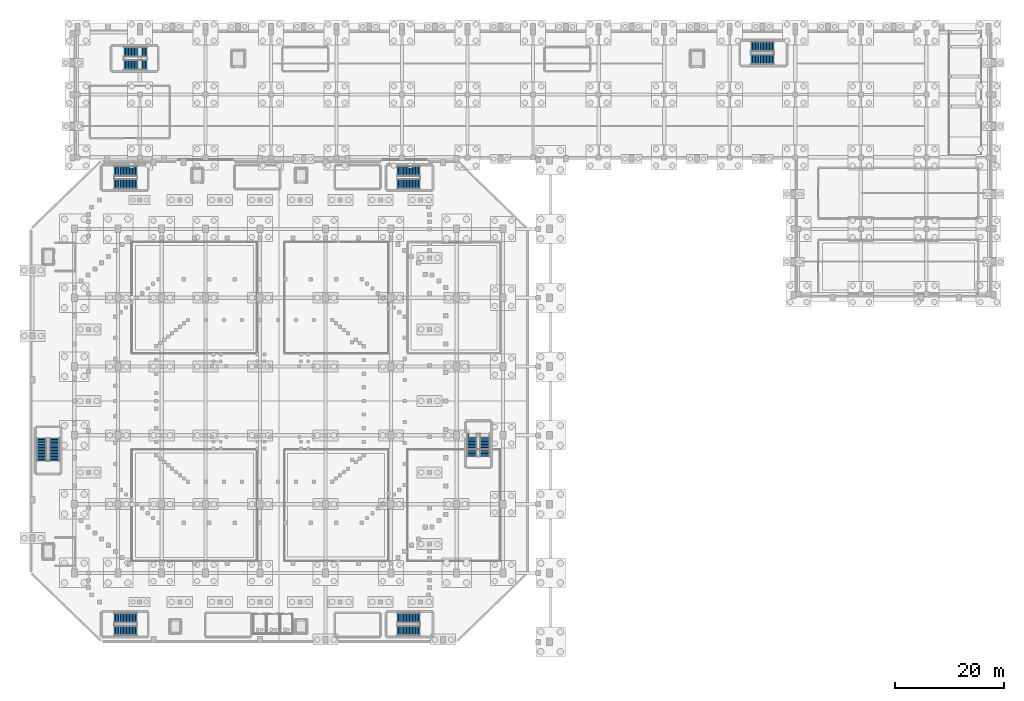
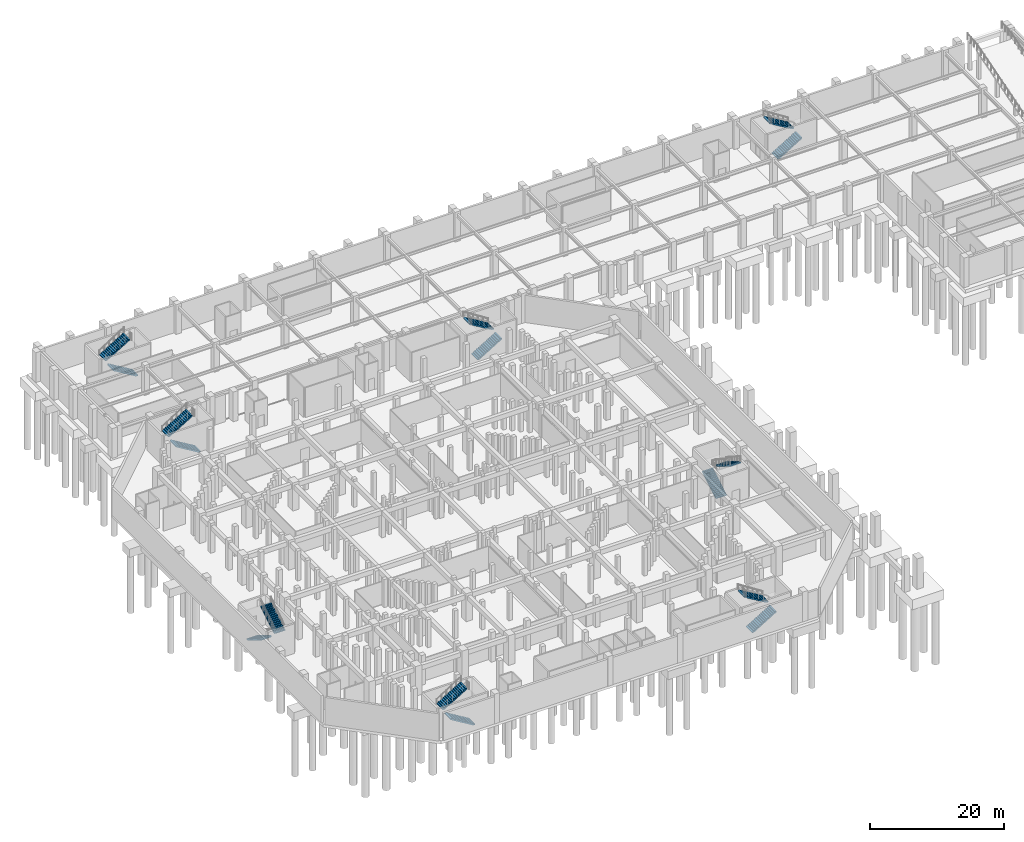
# One storey, part 20 of 27: 16 stair flights, 8 elements without a shape of their own.
"""IFC4 building model written with IfcOpenShell, lengths in metres."""

from ifc_helpers import new_model, si_unit, derived_unit, direction, frame, origin, place, context, subcontext, project, spatial, polyline, outline, extrude, material, type_object, element, aggregate, save


model = new_model("IFC4")

# Units and contexts
model_context = context("Model", 3, precision=1e-05, world=origin(), true_north=direction((0.0, 1.0)))
body_context = subcontext(model_context, "Body", "Model", "MODEL_VIEW")
ifc_project = project(units=[si_unit("LENGTHUNIT", "METRE"), si_unit("AREAUNIT", "SQUARE_METRE"), si_unit("VOLUMEUNIT", "CUBIC_METRE"), si_unit("PLANEANGLEUNIT", "RADIAN"), si_unit("MASSUNIT", "GRAM", prefix="KILO"), derived_unit("THERMALTRANSMITTANCEUNIT", [(si_unit("MASSUNIT", "GRAM", prefix="KILO"), 1), (si_unit("TIMEUNIT", "SECOND"), -3), (si_unit("THERMODYNAMICTEMPERATUREUNIT", "KELVIN"), -1)])], contexts=[model_context])

# Site, building, storey
site_placement = place(None, origin())
site = spatial("IfcSite", under=ifc_project, at=site_placement, CompositionType="ELEMENT")
building_placement = place(site_placement, origin())
building = spatial("IfcBuilding", under=site, at=building_placement, Name="Valcora Ridge Arena", CompositionType="ELEMENT")
storey_placement = place(building_placement, frame((0.0, 0.0, -5.39990234375)))
storey = spatial("IfcBuildingStorey", under=building, at=storey_placement, Name="B1", CompositionType="ELEMENT", Elevation=-5.39990234375)

# Stair, stair flights
ifc_material = material(Name="Concrete C40/50", Category="concrete")
stair_type_1 = type_object("IfcStairType", Name="TY-STAIR-ST01-54", PredefinedType="HALF_TURN_STAIR", material=ifc_material)
stair_1_placement = place(storey_placement, origin())
stair_1 = element("IfcStair", 1, at=stair_1_placement, inside=storey, type_object=stair_type_1, Name="ST01-54 STR-CR-0001", PredefinedType="HALF_TURN_STAIR")
stair_flight_type_1 = type_object("IfcStairFlightType", Name="TY-FLIGHT-ST01-54", PredefinedType="STRAIGHT", material=ifc_material)
stair_flight_1_placement = place(storey_placement, frame((35.489990234375, 22.0048828125, 0.0), z_axis=(0.0, 0.0, 1.0), x_axis=(-1.0, 0.0, 0.0)))
stair_flight_1 = element("IfcStairFlight", 2, at=stair_flight_1_placement, type_object=stair_flight_type_1, Name="ST01-54 flight 1", NumberOfRisers=16, NumberOfTreads=15, PredefinedType="STRAIGHT", RiserHeight=0.16875, TreadLength=0.28, context=body_context, shape_type="SweptSolid", body=[
    extrude(outline(polyline([(0.0, 0.0), (0.0, 0.168701171875), (0.280029296875, 0.168701171875), (0.280029296875, 0.33740234375), (0.56005859375, 0.33740234375), (0.56005859375, 0.50634765625), (0.840087890625, 0.50634765625), (0.840087890625, 0.675048828125), (1.1201171875, 0.675048828125), (1.1201171875, 0.84375), (1.39990234375, 0.84375), (1.39990234375, 1.012451171875), (1.679931640625, 1.012451171875), (1.679931640625, 1.18115234375), (1.9599609375, 1.18115234375), (1.9599609375, 1.35009765625), (2.239990234375, 1.35009765625), (2.239990234375, 1.518798828125), (2.52001953125, 1.518798828125), (2.52001953125, 1.6875), (2.800048828125, 1.6875), (2.800048828125, 1.856201171875), (3.080078125, 1.856201171875), (3.080078125, 2.02490234375), (3.360107421875, 2.02490234375), (3.360107421875, 2.19384765625), (3.639892578125, 2.19384765625), (3.639892578125, 2.362548828125), (3.919921875, 2.362548828125), (3.919921875, 2.53125), (4.199951171875, 2.53125), (4.199951171875, 2.699951171875), (4.199951171875, 2.3212890625), (0.3486328125, 0.0), (0.0, 0.0)])), frame((0.0, 0.925048828125, 0.0), z_axis=(0.0, -1.0, 0.0), x_axis=(1.0, 0.0, 0.0)), (0.0, 0.0, 1.0), 1.85009765625),
])
stair_flight_2_placement = place(storey_placement, frame((31.2900390625, 24.39501953125, 2.699951171875), z_axis=(0.0, 0.0, 1.0), x_axis=(1.0, 0.0, 0.0)))
stair_flight_2 = element("IfcStairFlight", 3, at=stair_flight_2_placement, type_object=stair_flight_type_1, Name="ST01-54 flight 2", NumberOfRisers=16, NumberOfTreads=15, PredefinedType="STRAIGHT", RiserHeight=0.16875, TreadLength=0.28, context=body_context, shape_type="SweptSolid", body=[
    extrude(outline(polyline([(0.0, 0.0), (0.0, 0.168701171875), (0.280029296875, 0.168701171875), (0.280029296875, 0.33740234375), (0.56005859375, 0.33740234375), (0.56005859375, 0.50634765625), (0.840087890625, 0.50634765625), (0.840087890625, 0.675048828125), (1.1201171875, 0.675048828125), (1.1201171875, 0.84375), (1.39990234375, 0.84375), (1.39990234375, 1.012451171875), (1.679931640625, 1.012451171875), (1.679931640625, 1.18115234375), (1.9599609375, 1.18115234375), (1.9599609375, 1.35009765625), (2.239990234375, 1.35009765625), (2.239990234375, 1.518798828125), (2.52001953125, 1.518798828125), (2.52001953125, 1.6875), (2.800048828125, 1.6875), (2.800048828125, 1.856201171875), (3.080078125, 1.856201171875), (3.080078125, 2.02490234375), (3.360107421875, 2.02490234375), (3.360107421875, 2.19384765625), (3.639892578125, 2.19384765625), (3.639892578125, 2.362548828125), (3.919921875, 2.362548828125), (3.919921875, 2.53125), (4.199951171875, 2.53125), (4.199951171875, 2.699951171875), (4.199951171875, 2.3212890625), (0.3486328125, 0.0), (0.0, 0.0)])), frame((0.0, 0.925048828125, 0.0), z_axis=(0.0, -1.0, 0.0), x_axis=(1.0, 0.0, 0.0)), (0.0, 0.0, 1.0), 1.85009765625),
])
aggregate(stair_1, [stair_flight_1, stair_flight_2])

stair_type_2 = type_object("IfcStairType", Name="TY-STAIR-ST02-54", PredefinedType="HALF_TURN_STAIR", material=ifc_material)
stair_2_placement = place(storey_placement, origin())
stair_2 = element("IfcStair", 4, at=stair_2_placement, inside=storey, type_object=stair_type_2, Name="ST02-54 STR-CR-0007", PredefinedType="HALF_TURN_STAIR")
stair_flight_type_2 = type_object("IfcStairFlightType", Name="TY-FLIGHT-ST02-54", PredefinedType="STRAIGHT", material=ifc_material)
stair_flight_3_placement = place(storey_placement, frame((83.110107421875, 22.0048828125, 0.0), z_axis=(0.0, 0.0, 1.0), x_axis=(1.0, 0.0, 0.0)))
stair_flight_3 = element("IfcStairFlight", 5, at=stair_flight_3_placement, type_object=stair_flight_type_2, Name="ST02-54 flight 1", NumberOfRisers=16, NumberOfTreads=15, PredefinedType="STRAIGHT", RiserHeight=0.16875, TreadLength=0.28, context=body_context, shape_type="SweptSolid", body=[
    extrude(outline(polyline([(0.0, 0.0), (0.0, 0.168701171875), (0.280029296875, 0.168701171875), (0.280029296875, 0.33740234375), (0.56005859375, 0.33740234375), (0.56005859375, 0.50634765625), (0.840087890625, 0.50634765625), (0.840087890625, 0.675048828125), (1.1201171875, 0.675048828125), (1.1201171875, 0.84375), (1.39990234375, 0.84375), (1.39990234375, 1.012451171875), (1.679931640625, 1.012451171875), (1.679931640625, 1.18115234375), (1.9599609375, 1.18115234375), (1.9599609375, 1.35009765625), (2.239990234375, 1.35009765625), (2.239990234375, 1.518798828125), (2.52001953125, 1.518798828125), (2.52001953125, 1.6875), (2.800048828125, 1.6875), (2.800048828125, 1.856201171875), (3.080078125, 1.856201171875), (3.080078125, 2.02490234375), (3.360107421875, 2.02490234375), (3.360107421875, 2.19384765625), (3.639892578125, 2.19384765625), (3.639892578125, 2.362548828125), (3.919921875, 2.362548828125), (3.919921875, 2.53125), (4.199951171875, 2.53125), (4.199951171875, 2.699951171875), (4.199951171875, 2.3212890625), (0.3486328125, 0.0), (0.0, 0.0)])), frame((0.0, 0.925048828125, 0.0), z_axis=(0.0, -1.0, 0.0), x_axis=(1.0, 0.0, 0.0)), (0.0, 0.0, 1.0), 1.85009765625),
])
stair_flight_4_placement = place(storey_placement, frame((87.31005859375, 24.39501953125, 2.699951171875), z_axis=(0.0, 0.0, 1.0), x_axis=(-1.0, 0.0, 0.0)))
stair_flight_4 = element("IfcStairFlight", 6, at=stair_flight_4_placement, type_object=stair_flight_type_2, Name="ST02-54 flight 2", NumberOfRisers=16, NumberOfTreads=15, PredefinedType="STRAIGHT", RiserHeight=0.16875, TreadLength=0.28, context=body_context, shape_type="SweptSolid", body=[
    extrude(outline(polyline([(0.0, 0.0), (0.0, 0.168701171875), (0.280029296875, 0.168701171875), (0.280029296875, 0.33740234375), (0.56005859375, 0.33740234375), (0.56005859375, 0.50634765625), (0.840087890625, 0.50634765625), (0.840087890625, 0.675048828125), (1.1201171875, 0.675048828125), (1.1201171875, 0.84375), (1.39990234375, 0.84375), (1.39990234375, 1.012451171875), (1.679931640625, 1.012451171875), (1.679931640625, 1.18115234375), (1.9599609375, 1.18115234375), (1.9599609375, 1.35009765625), (2.239990234375, 1.35009765625), (2.239990234375, 1.518798828125), (2.52001953125, 1.518798828125), (2.52001953125, 1.6875), (2.800048828125, 1.6875), (2.800048828125, 1.856201171875), (3.080078125, 1.856201171875), (3.080078125, 2.02490234375), (3.360107421875, 2.02490234375), (3.360107421875, 2.19384765625), (3.639892578125, 2.19384765625), (3.639892578125, 2.362548828125), (3.919921875, 2.362548828125), (3.919921875, 2.53125), (4.199951171875, 2.53125), (4.199951171875, 2.699951171875), (4.199951171875, 2.3212890625), (0.3486328125, 0.0), (0.0, 0.0)])), frame((0.0, 0.925048828125, 0.0), z_axis=(0.0, -1.0, 0.0), x_axis=(1.0, 0.0, 0.0)), (0.0, 0.0, 1.0), 1.85009765625),
])
aggregate(stair_2, [stair_flight_3, stair_flight_4])

stair_type_3 = type_object("IfcStairType", Name="TY-STAIR-ST03-54", PredefinedType="HALF_TURN_STAIR", material=ifc_material)
stair_3_placement = place(storey_placement, origin())
stair_3 = element("IfcStair", 7, at=stair_3_placement, inside=storey, type_object=stair_type_3, Name="ST03-54 STR-CR-0012", PredefinedType="HALF_TURN_STAIR")
stair_flight_type_3 = type_object("IfcStairFlightType", Name="TY-FLIGHT-ST03-54", PredefinedType="STRAIGHT", material=ifc_material)
stair_flight_5_placement = place(storey_placement, frame((35.489990234375, 103.804931640625, 0.0), z_axis=(0.0, 0.0, 1.0), x_axis=(-1.0, 0.0, 0.0)))
stair_flight_5 = element("IfcStairFlight", 8, at=stair_flight_5_placement, type_object=stair_flight_type_3, Name="ST03-54 flight 1", NumberOfRisers=16, NumberOfTreads=15, PredefinedType="STRAIGHT", RiserHeight=0.16875, TreadLength=0.28, context=body_context, shape_type="SweptSolid", body=[
    extrude(outline(polyline([(0.0, 0.0), (0.0, 0.168701171875), (0.280029296875, 0.168701171875), (0.280029296875, 0.33740234375), (0.56005859375, 0.33740234375), (0.56005859375, 0.50634765625), (0.840087890625, 0.50634765625), (0.840087890625, 0.675048828125), (1.1201171875, 0.675048828125), (1.1201171875, 0.84375), (1.39990234375, 0.84375), (1.39990234375, 1.012451171875), (1.679931640625, 1.012451171875), (1.679931640625, 1.18115234375), (1.9599609375, 1.18115234375), (1.9599609375, 1.35009765625), (2.239990234375, 1.35009765625), (2.239990234375, 1.518798828125), (2.52001953125, 1.518798828125), (2.52001953125, 1.6875), (2.800048828125, 1.6875), (2.800048828125, 1.856201171875), (3.080078125, 1.856201171875), (3.080078125, 2.02490234375), (3.360107421875, 2.02490234375), (3.360107421875, 2.19384765625), (3.639892578125, 2.19384765625), (3.639892578125, 2.362548828125), (3.919921875, 2.362548828125), (3.919921875, 2.53125), (4.199951171875, 2.53125), (4.199951171875, 2.699951171875), (4.199951171875, 2.3212890625), (0.3486328125, 0.0), (0.0, 0.0)])), frame((0.0, 0.925048828125, 0.0), z_axis=(0.0, -1.0, 0.0), x_axis=(1.0, 0.0, 0.0)), (0.0, 0.0, 1.0), 1.85009765625),
])
stair_flight_6_placement = place(storey_placement, frame((31.2900390625, 106.195068359375, 2.699951171875), z_axis=(0.0, 0.0, 1.0), x_axis=(1.0, 0.0, 0.0)))
stair_flight_6 = element("IfcStairFlight", 9, at=stair_flight_6_placement, type_object=stair_flight_type_3, Name="ST03-54 flight 2", NumberOfRisers=16, NumberOfTreads=15, PredefinedType="STRAIGHT", RiserHeight=0.16875, TreadLength=0.28, context=body_context, shape_type="SweptSolid", body=[
    extrude(outline(polyline([(0.0, 0.0), (0.0, 0.168701171875), (0.280029296875, 0.168701171875), (0.280029296875, 0.33740234375), (0.56005859375, 0.33740234375), (0.56005859375, 0.50634765625), (0.840087890625, 0.50634765625), (0.840087890625, 0.675048828125), (1.1201171875, 0.675048828125), (1.1201171875, 0.84375), (1.39990234375, 0.84375), (1.39990234375, 1.012451171875), (1.679931640625, 1.012451171875), (1.679931640625, 1.18115234375), (1.9599609375, 1.18115234375), (1.9599609375, 1.35009765625), (2.239990234375, 1.35009765625), (2.239990234375, 1.518798828125), (2.52001953125, 1.518798828125), (2.52001953125, 1.6875), (2.800048828125, 1.6875), (2.800048828125, 1.856201171875), (3.080078125, 1.856201171875), (3.080078125, 2.02490234375), (3.360107421875, 2.02490234375), (3.360107421875, 2.19384765625), (3.639892578125, 2.19384765625), (3.639892578125, 2.362548828125), (3.919921875, 2.362548828125), (3.919921875, 2.53125), (4.199951171875, 2.53125), (4.199951171875, 2.699951171875), (4.199951171875, 2.3212890625), (0.3486328125, 0.0), (0.0, 0.0)])), frame((0.0, 0.925048828125, 0.0), z_axis=(0.0, -1.0, 0.0), x_axis=(1.0, 0.0, 0.0)), (0.0, 0.0, 1.0), 1.85009765625),
])
aggregate(stair_3, [stair_flight_5, stair_flight_6])

stair_type_4 = type_object("IfcStairType", Name="TY-STAIR-ST04-54", PredefinedType="HALF_TURN_STAIR", material=ifc_material)
stair_4_placement = place(storey_placement, origin())
stair_4 = element("IfcStair", 10, at=stair_4_placement, inside=storey, type_object=stair_type_4, Name="ST04-54 STR-CR-0018", PredefinedType="HALF_TURN_STAIR")
stair_flight_type_4 = type_object("IfcStairFlightType", Name="TY-FLIGHT-ST04-54", PredefinedType="STRAIGHT", material=ifc_material)
stair_flight_7_placement = place(storey_placement, frame((83.110107421875, 103.804931640625, 0.0), z_axis=(0.0, 0.0, 1.0), x_axis=(1.0, 0.0, 0.0)))
stair_flight_7 = element("IfcStairFlight", 11, at=stair_flight_7_placement, type_object=stair_flight_type_4, Name="ST04-54 flight 1", NumberOfRisers=16, NumberOfTreads=15, PredefinedType="STRAIGHT", RiserHeight=0.16875, TreadLength=0.28, context=body_context, shape_type="SweptSolid", body=[
    extrude(outline(polyline([(0.0, 0.0), (0.0, 0.168701171875), (0.280029296875, 0.168701171875), (0.280029296875, 0.33740234375), (0.56005859375, 0.33740234375), (0.56005859375, 0.50634765625), (0.840087890625, 0.50634765625), (0.840087890625, 0.675048828125), (1.1201171875, 0.675048828125), (1.1201171875, 0.84375), (1.39990234375, 0.84375), (1.39990234375, 1.012451171875), (1.679931640625, 1.012451171875), (1.679931640625, 1.18115234375), (1.9599609375, 1.18115234375), (1.9599609375, 1.35009765625), (2.239990234375, 1.35009765625), (2.239990234375, 1.518798828125), (2.52001953125, 1.518798828125), (2.52001953125, 1.6875), (2.800048828125, 1.6875), (2.800048828125, 1.856201171875), (3.080078125, 1.856201171875), (3.080078125, 2.02490234375), (3.360107421875, 2.02490234375), (3.360107421875, 2.19384765625), (3.639892578125, 2.19384765625), (3.639892578125, 2.362548828125), (3.919921875, 2.362548828125), (3.919921875, 2.53125), (4.199951171875, 2.53125), (4.199951171875, 2.699951171875), (4.199951171875, 2.3212890625), (0.3486328125, 0.0), (0.0, 0.0)])), frame((0.0, 0.925048828125, 0.0), z_axis=(0.0, -1.0, 0.0), x_axis=(1.0, 0.0, 0.0)), (0.0, 0.0, 1.0), 1.85009765625),
])
stair_flight_8_placement = place(storey_placement, frame((87.31005859375, 106.195068359375, 2.699951171875), z_axis=(0.0, 0.0, 1.0), x_axis=(-1.0, 0.0, 0.0)))
stair_flight_8 = element("IfcStairFlight", 12, at=stair_flight_8_placement, type_object=stair_flight_type_4, Name="ST04-54 flight 2", NumberOfRisers=16, NumberOfTreads=15, PredefinedType="STRAIGHT", RiserHeight=0.16875, TreadLength=0.28, context=body_context, shape_type="SweptSolid", body=[
    extrude(outline(polyline([(0.0, 0.0), (0.0, 0.168701171875), (0.280029296875, 0.168701171875), (0.280029296875, 0.33740234375), (0.56005859375, 0.33740234375), (0.56005859375, 0.50634765625), (0.840087890625, 0.50634765625), (0.840087890625, 0.675048828125), (1.1201171875, 0.675048828125), (1.1201171875, 0.84375), (1.39990234375, 0.84375), (1.39990234375, 1.012451171875), (1.679931640625, 1.012451171875), (1.679931640625, 1.18115234375), (1.9599609375, 1.18115234375), (1.9599609375, 1.35009765625), (2.239990234375, 1.35009765625), (2.239990234375, 1.518798828125), (2.52001953125, 1.518798828125), (2.52001953125, 1.6875), (2.800048828125, 1.6875), (2.800048828125, 1.856201171875), (3.080078125, 1.856201171875), (3.080078125, 2.02490234375), (3.360107421875, 2.02490234375), (3.360107421875, 2.19384765625), (3.639892578125, 2.19384765625), (3.639892578125, 2.362548828125), (3.919921875, 2.362548828125), (3.919921875, 2.53125), (4.199951171875, 2.53125), (4.199951171875, 2.699951171875), (4.199951171875, 2.3212890625), (0.3486328125, 0.0), (0.0, 0.0)])), frame((0.0, 0.925048828125, 0.0), z_axis=(0.0, -1.0, 0.0), x_axis=(1.0, 0.0, 0.0)), (0.0, 0.0, 1.0), 1.85009765625),
])
aggregate(stair_4, [stair_flight_7, stair_flight_8])

stair_type_5 = type_object("IfcStairType", Name="TY-STAIR-ST05-54", PredefinedType="HALF_TURN_STAIR", material=ifc_material)
stair_5_placement = place(storey_placement, origin())
stair_5 = element("IfcStair", 13, at=stair_5_placement, inside=storey, type_object=stair_type_5, Name="ST05-54 STR-CR-0023", PredefinedType="HALF_TURN_STAIR")
stair_flight_type_5 = type_object("IfcStairFlightType", Name="TY-FLIGHT-ST05-54", PredefinedType="STRAIGHT", material=ifc_material)
stair_flight_9_placement = place(storey_placement, frame((18.0048828125, 57.2900390625, 0.0), z_axis=(0.0, 0.0, 1.0), x_axis=(0.0, -1.0, 0.0)))
stair_flight_9 = element("IfcStairFlight", 14, at=stair_flight_9_placement, type_object=stair_flight_type_5, Name="ST05-54 flight 1", NumberOfRisers=16, NumberOfTreads=15, PredefinedType="STRAIGHT", RiserHeight=0.16875, TreadLength=0.28, context=body_context, shape_type="SweptSolid", body=[
    extrude(outline(polyline([(0.0, 0.0), (0.0, 0.168701171875), (0.280029296875, 0.168701171875), (0.280029296875, 0.33740234375), (0.56005859375, 0.33740234375), (0.56005859375, 0.50634765625), (0.840087890625, 0.50634765625), (0.840087890625, 0.675048828125), (1.1201171875, 0.675048828125), (1.1201171875, 0.84375), (1.39990234375, 0.84375), (1.39990234375, 1.012451171875), (1.679931640625, 1.012451171875), (1.679931640625, 1.18115234375), (1.9599609375, 1.18115234375), (1.9599609375, 1.35009765625), (2.239990234375, 1.35009765625), (2.239990234375, 1.518798828125), (2.52001953125, 1.518798828125), (2.52001953125, 1.6875), (2.800048828125, 1.6875), (2.800048828125, 1.856201171875), (3.080078125, 1.856201171875), (3.080078125, 2.02490234375), (3.360107421875, 2.02490234375), (3.360107421875, 2.19384765625), (3.639892578125, 2.19384765625), (3.639892578125, 2.362548828125), (3.919921875, 2.362548828125), (3.919921875, 2.53125), (4.199951171875, 2.53125), (4.199951171875, 2.699951171875), (4.199951171875, 2.3212890625), (0.3486328125, 0.0), (0.0, 0.0)])), frame((0.0, 0.925048828125, 0.0), z_axis=(0.0, -1.0, 0.0), x_axis=(1.0, 0.0, 0.0)), (0.0, 0.0, 1.0), 1.85009765625),
])
stair_flight_10_placement = place(storey_placement, frame((20.39501953125, 53.090087890625, 2.699951171875), z_axis=(0.0, 0.0, 1.0), x_axis=(0.0, 1.0, 0.0)))
stair_flight_10 = element("IfcStairFlight", 15, at=stair_flight_10_placement, type_object=stair_flight_type_5, Name="ST05-54 flight 2", NumberOfRisers=16, NumberOfTreads=15, PredefinedType="STRAIGHT", RiserHeight=0.16875, TreadLength=0.28, context=body_context, shape_type="SweptSolid", body=[
    extrude(outline(polyline([(0.0, 0.0), (0.0, 0.168701171875), (0.280029296875, 0.168701171875), (0.280029296875, 0.33740234375), (0.56005859375, 0.33740234375), (0.56005859375, 0.50634765625), (0.840087890625, 0.50634765625), (0.840087890625, 0.675048828125), (1.1201171875, 0.675048828125), (1.1201171875, 0.84375), (1.39990234375, 0.84375), (1.39990234375, 1.012451171875), (1.679931640625, 1.012451171875), (1.679931640625, 1.18115234375), (1.9599609375, 1.18115234375), (1.9599609375, 1.35009765625), (2.239990234375, 1.35009765625), (2.239990234375, 1.518798828125), (2.52001953125, 1.518798828125), (2.52001953125, 1.6875), (2.800048828125, 1.6875), (2.800048828125, 1.856201171875), (3.080078125, 1.856201171875), (3.080078125, 2.02490234375), (3.360107421875, 2.02490234375), (3.360107421875, 2.19384765625), (3.639892578125, 2.19384765625), (3.639892578125, 2.362548828125), (3.919921875, 2.362548828125), (3.919921875, 2.53125), (4.199951171875, 2.53125), (4.199951171875, 2.699951171875), (4.199951171875, 2.3212890625), (0.3486328125, 0.0), (0.0, 0.0)])), frame((0.0, 0.925048828125, 0.0), z_axis=(0.0, -1.0, 0.0), x_axis=(1.0, 0.0, 0.0)), (0.0, 0.0, 1.0), 1.85009765625),
])
aggregate(stair_5, [stair_flight_9, stair_flight_10])

stair_type_6 = type_object("IfcStairType", Name="TY-STAIR-ST06-54", PredefinedType="HALF_TURN_STAIR", material=ifc_material)
stair_6_placement = place(storey_placement, origin())
stair_6 = element("IfcStair", 16, at=stair_6_placement, inside=storey, type_object=stair_type_6, Name="ST06-54 STR-CR-0029", PredefinedType="HALF_TURN_STAIR")
stair_flight_type_6 = type_object("IfcStairFlightType", Name="TY-FLIGHT-ST06-54", PredefinedType="STRAIGHT", material=ifc_material)
stair_flight_11_placement = place(storey_placement, frame((96.804931640625, 53.909912109375, 0.0), z_axis=(0.0, 0.0, 1.0), x_axis=(0.0, 1.0, 0.0)))
stair_flight_11 = element("IfcStairFlight", 17, at=stair_flight_11_placement, type_object=stair_flight_type_6, Name="ST06-54 flight 1", NumberOfRisers=16, NumberOfTreads=15, PredefinedType="STRAIGHT", RiserHeight=0.16875, TreadLength=0.28, context=body_context, shape_type="SweptSolid", body=[
    extrude(outline(polyline([(0.0, 0.0), (0.0, 0.168701171875), (0.280029296875, 0.168701171875), (0.280029296875, 0.33740234375), (0.56005859375, 0.33740234375), (0.56005859375, 0.50634765625), (0.840087890625, 0.50634765625), (0.840087890625, 0.675048828125), (1.1201171875, 0.675048828125), (1.1201171875, 0.84375), (1.39990234375, 0.84375), (1.39990234375, 1.012451171875), (1.679931640625, 1.012451171875), (1.679931640625, 1.18115234375), (1.9599609375, 1.18115234375), (1.9599609375, 1.35009765625), (2.239990234375, 1.35009765625), (2.239990234375, 1.518798828125), (2.52001953125, 1.518798828125), (2.52001953125, 1.6875), (2.800048828125, 1.6875), (2.800048828125, 1.856201171875), (3.080078125, 1.856201171875), (3.080078125, 2.02490234375), (3.360107421875, 2.02490234375), (3.360107421875, 2.19384765625), (3.639892578125, 2.19384765625), (3.639892578125, 2.362548828125), (3.919921875, 2.362548828125), (3.919921875, 2.53125), (4.199951171875, 2.53125), (4.199951171875, 2.699951171875), (4.199951171875, 2.3212890625), (0.3486328125, 0.0), (0.0, 0.0)])), frame((0.0, 0.925048828125, 0.0), z_axis=(0.0, -1.0, 0.0), x_axis=(1.0, 0.0, 0.0)), (0.0, 0.0, 1.0), 1.85009765625),
])
stair_flight_12_placement = place(storey_placement, frame((99.195068359375, 58.110107421875, 2.699951171875), z_axis=(0.0, 0.0, 1.0), x_axis=(0.0, -1.0, 0.0)))
stair_flight_12 = element("IfcStairFlight", 18, at=stair_flight_12_placement, type_object=stair_flight_type_6, Name="ST06-54 flight 2", NumberOfRisers=16, NumberOfTreads=15, PredefinedType="STRAIGHT", RiserHeight=0.16875, TreadLength=0.28, context=body_context, shape_type="SweptSolid", body=[
    extrude(outline(polyline([(0.0, 0.0), (0.0, 0.168701171875), (0.280029296875, 0.168701171875), (0.280029296875, 0.33740234375), (0.56005859375, 0.33740234375), (0.56005859375, 0.50634765625), (0.840087890625, 0.50634765625), (0.840087890625, 0.675048828125), (1.1201171875, 0.675048828125), (1.1201171875, 0.84375), (1.39990234375, 0.84375), (1.39990234375, 1.012451171875), (1.679931640625, 1.012451171875), (1.679931640625, 1.18115234375), (1.9599609375, 1.18115234375), (1.9599609375, 1.35009765625), (2.239990234375, 1.35009765625), (2.239990234375, 1.518798828125), (2.52001953125, 1.518798828125), (2.52001953125, 1.6875), (2.800048828125, 1.6875), (2.800048828125, 1.856201171875), (3.080078125, 1.856201171875), (3.080078125, 2.02490234375), (3.360107421875, 2.02490234375), (3.360107421875, 2.19384765625), (3.639892578125, 2.19384765625), (3.639892578125, 2.362548828125), (3.919921875, 2.362548828125), (3.919921875, 2.53125), (4.199951171875, 2.53125), (4.199951171875, 2.699951171875), (4.199951171875, 2.3212890625), (0.3486328125, 0.0), (0.0, 0.0)])), frame((0.0, 0.925048828125, 0.0), z_axis=(0.0, -1.0, 0.0), x_axis=(1.0, 0.0, 0.0)), (0.0, 0.0, 1.0), 1.85009765625),
])
aggregate(stair_6, [stair_flight_11, stair_flight_12])

stair_type_7 = type_object("IfcStairType", Name="TY-STAIR-ST09-54", PredefinedType="HALF_TURN_STAIR", material=ifc_material)
stair_7_placement = place(storey_placement, origin())
stair_7 = element("IfcStair", 19, at=stair_7_placement, inside=storey, type_object=stair_type_7, Name="ST09-54 STR-CR-0037", PredefinedType="HALF_TURN_STAIR")
stair_flight_type_7 = type_object("IfcStairFlightType", Name="TY-FLIGHT-ST09-54", PredefinedType="STRAIGHT", material=ifc_material)
stair_flight_13_placement = place(storey_placement, frame((37.2900390625, 125.60498046875, 0.0), z_axis=(0.0, 0.0, 1.0), x_axis=(-1.0, 0.0, 0.0)))
stair_flight_13 = element("IfcStairFlight", 20, at=stair_flight_13_placement, type_object=stair_flight_type_7, Name="ST09-54 flight 1", NumberOfRisers=16, NumberOfTreads=15, PredefinedType="STRAIGHT", RiserHeight=0.16875, TreadLength=0.28, context=body_context, shape_type="SweptSolid", body=[
    extrude(outline(polyline([(0.0, 0.0), (0.0, 0.168701171875), (0.280029296875, 0.168701171875), (0.280029296875, 0.33740234375), (0.56005859375, 0.33740234375), (0.56005859375, 0.50634765625), (0.840087890625, 0.50634765625), (0.840087890625, 0.675048828125), (1.1201171875, 0.675048828125), (1.1201171875, 0.84375), (1.39990234375, 0.84375), (1.39990234375, 1.012451171875), (1.679931640625, 1.012451171875), (1.679931640625, 1.18115234375), (1.9599609375, 1.18115234375), (1.9599609375, 1.35009765625), (2.239990234375, 1.35009765625), (2.239990234375, 1.518798828125), (2.52001953125, 1.518798828125), (2.52001953125, 1.6875), (2.800048828125, 1.6875), (2.800048828125, 1.856201171875), (3.080078125, 1.856201171875), (3.080078125, 2.02490234375), (3.360107421875, 2.02490234375), (3.360107421875, 2.19384765625), (3.639892578125, 2.19384765625), (3.639892578125, 2.362548828125), (3.919921875, 2.362548828125), (3.919921875, 2.53125), (4.199951171875, 2.53125), (4.199951171875, 2.699951171875), (4.199951171875, 2.3212890625), (0.3486328125, 0.0), (0.0, 0.0)])), frame((0.0, 0.925048828125, 0.0), z_axis=(0.0, -1.0, 0.0), x_axis=(1.0, 0.0, 0.0)), (0.0, 0.0, 1.0), 1.85009765625),
])
stair_flight_14_placement = place(storey_placement, frame((33.090087890625, 127.9951171875, 2.699951171875), z_axis=(0.0, 0.0, 1.0), x_axis=(1.0, 0.0, 0.0)))
stair_flight_14 = element("IfcStairFlight", 21, at=stair_flight_14_placement, type_object=stair_flight_type_7, Name="ST09-54 flight 2", NumberOfRisers=16, NumberOfTreads=15, PredefinedType="STRAIGHT", RiserHeight=0.16875, TreadLength=0.28, context=body_context, shape_type="SweptSolid", body=[
    extrude(outline(polyline([(0.0, 0.0), (0.0, 0.168701171875), (0.280029296875, 0.168701171875), (0.280029296875, 0.33740234375), (0.56005859375, 0.33740234375), (0.56005859375, 0.50634765625), (0.840087890625, 0.50634765625), (0.840087890625, 0.675048828125), (1.1201171875, 0.675048828125), (1.1201171875, 0.84375), (1.39990234375, 0.84375), (1.39990234375, 1.012451171875), (1.679931640625, 1.012451171875), (1.679931640625, 1.18115234375), (1.9599609375, 1.18115234375), (1.9599609375, 1.35009765625), (2.239990234375, 1.35009765625), (2.239990234375, 1.518798828125), (2.52001953125, 1.518798828125), (2.52001953125, 1.6875), (2.800048828125, 1.6875), (2.800048828125, 1.856201171875), (3.080078125, 1.856201171875), (3.080078125, 2.02490234375), (3.360107421875, 2.02490234375), (3.360107421875, 2.19384765625), (3.639892578125, 2.19384765625), (3.639892578125, 2.362548828125), (3.919921875, 2.362548828125), (3.919921875, 2.53125), (4.199951171875, 2.53125), (4.199951171875, 2.699951171875), (4.199951171875, 2.3212890625), (0.3486328125, 0.0), (0.0, 0.0)])), frame((0.0, 0.925048828125, 0.0), z_axis=(0.0, -1.0, 0.0), x_axis=(1.0, 0.0, 0.0)), (0.0, 0.0, 1.0), 1.85009765625),
])
aggregate(stair_7, [stair_flight_13, stair_flight_14])

stair_type_8 = type_object("IfcStairType", Name="TY-STAIR-ST10-54", PredefinedType="HALF_TURN_STAIR", material=ifc_material)
stair_8_placement = place(storey_placement, origin())
stair_8 = element("IfcStair", 22, at=stair_8_placement, inside=storey, type_object=stair_type_8, Name="ST10-54 STR-CR-0041", PredefinedType="HALF_TURN_STAIR")
stair_flight_type_8 = type_object("IfcStairFlightType", Name="TY-FLIGHT-ST10-54", PredefinedType="STRAIGHT", material=ifc_material)
stair_flight_15_placement = place(storey_placement, frame((147.909912109375, 126.60498046875, 0.0), z_axis=(0.0, 0.0, 1.0), x_axis=(1.0, 0.0, 0.0)))
stair_flight_15 = element("IfcStairFlight", 23, at=stair_flight_15_placement, type_object=stair_flight_type_8, Name="ST10-54 flight 1", NumberOfRisers=16, NumberOfTreads=15, PredefinedType="STRAIGHT", RiserHeight=0.16875, TreadLength=0.28, context=body_context, shape_type="SweptSolid", body=[
    extrude(outline(polyline([(0.0, 0.0), (0.0, 0.168701171875), (0.280029296875, 0.168701171875), (0.280029296875, 0.33740234375), (0.56005859375, 0.33740234375), (0.56005859375, 0.50634765625), (0.840087890625, 0.50634765625), (0.840087890625, 0.675048828125), (1.1201171875, 0.675048828125), (1.1201171875, 0.84375), (1.39990234375, 0.84375), (1.39990234375, 1.012451171875), (1.679931640625, 1.012451171875), (1.679931640625, 1.18115234375), (1.9599609375, 1.18115234375), (1.9599609375, 1.35009765625), (2.239990234375, 1.35009765625), (2.239990234375, 1.518798828125), (2.52001953125, 1.518798828125), (2.52001953125, 1.6875), (2.800048828125, 1.6875), (2.800048828125, 1.856201171875), (3.080078125, 1.856201171875), (3.080078125, 2.02490234375), (3.360107421875, 2.02490234375), (3.360107421875, 2.19384765625), (3.639892578125, 2.19384765625), (3.639892578125, 2.362548828125), (3.919921875, 2.362548828125), (3.919921875, 2.53125), (4.199951171875, 2.53125), (4.199951171875, 2.699951171875), (4.199951171875, 2.3212890625), (0.3486328125, 0.0), (0.0, 0.0)])), frame((0.0, 0.925048828125, 0.0), z_axis=(0.0, -1.0, 0.0), x_axis=(1.0, 0.0, 0.0)), (0.0, 0.0, 1.0), 1.85009765625),
])
stair_flight_16_placement = place(storey_placement, frame((152.110107421875, 128.9951171875, 2.699951171875), z_axis=(0.0, 0.0, 1.0), x_axis=(-1.0, 0.0, 0.0)))
stair_flight_16 = element("IfcStairFlight", 24, at=stair_flight_16_placement, type_object=stair_flight_type_8, Name="ST10-54 flight 2", NumberOfRisers=16, NumberOfTreads=15, PredefinedType="STRAIGHT", RiserHeight=0.16875, TreadLength=0.28, context=body_context, shape_type="SweptSolid", body=[
    extrude(outline(polyline([(0.0, 0.0), (0.0, 0.168701171875), (0.280029296875, 0.168701171875), (0.280029296875, 0.33740234375), (0.56005859375, 0.33740234375), (0.56005859375, 0.50634765625), (0.840087890625, 0.50634765625), (0.840087890625, 0.675048828125), (1.1201171875, 0.675048828125), (1.1201171875, 0.84375), (1.39990234375, 0.84375), (1.39990234375, 1.012451171875), (1.679931640625, 1.012451171875), (1.679931640625, 1.18115234375), (1.9599609375, 1.18115234375), (1.9599609375, 1.35009765625), (2.239990234375, 1.35009765625), (2.239990234375, 1.518798828125), (2.52001953125, 1.518798828125), (2.52001953125, 1.6875), (2.800048828125, 1.6875), (2.800048828125, 1.856201171875), (3.080078125, 1.856201171875), (3.080078125, 2.02490234375), (3.360107421875, 2.02490234375), (3.360107421875, 2.19384765625), (3.639892578125, 2.19384765625), (3.639892578125, 2.362548828125), (3.919921875, 2.362548828125), (3.919921875, 2.53125), (4.199951171875, 2.53125), (4.199951171875, 2.699951171875), (4.199951171875, 2.3212890625), (0.3486328125, 0.0), (0.0, 0.0)])), frame((0.0, 0.925048828125, 0.0), z_axis=(0.0, -1.0, 0.0), x_axis=(1.0, 0.0, 0.0)), (0.0, 0.0, 1.0), 1.85009765625),
])
aggregate(stair_8, [stair_flight_15, stair_flight_16])

save(model, "model.ifc")
